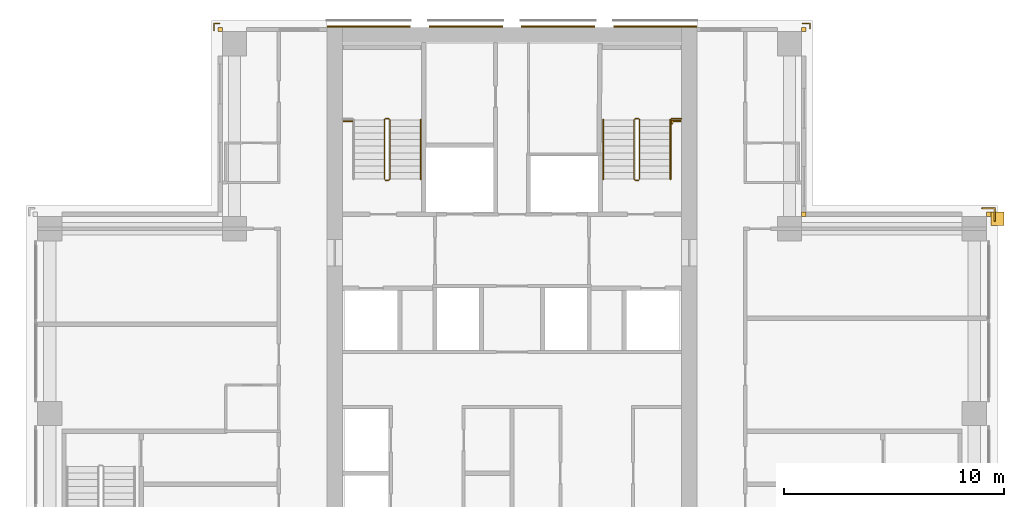
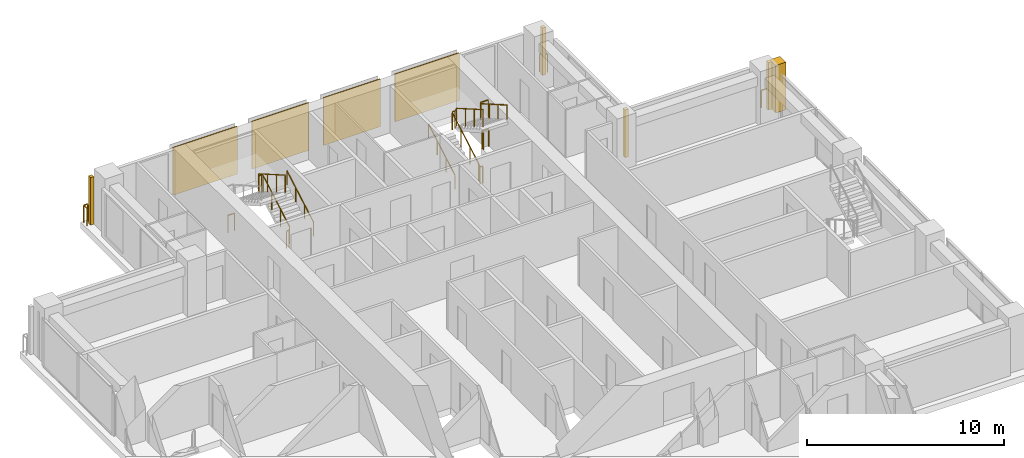
# One storey, part 16 of 16: 11 railings, 9 coverings.
"""IFC4 building model written with IfcOpenShell, lengths in metres."""

from ifc_helpers import new_model, si_unit, direction, frame, origin, origin_2d, place, context, subcontext, project, spatial, polyline, rectangle, outline, extrude, material, type_object, element, save


model = new_model("IFC4")

# Units and contexts
model_context = context("Model", 3, precision=1e-05, world=origin(), true_north=direction((0.0, 1.0)))
body_context = subcontext(model_context, "Body", "Model", "MODEL_VIEW")
ifc_project = project(units=[si_unit("LENGTHUNIT", "METRE"), si_unit("AREAUNIT", "SQUARE_METRE"), si_unit("VOLUMEUNIT", "CUBIC_METRE"), si_unit("PLANEANGLEUNIT", "RADIAN"), si_unit("MASSUNIT", "GRAM", prefix="KILO")], contexts=[model_context])

# Site, building, storey
site_placement = place(None, origin())
site = spatial("IfcSite", under=ifc_project, at=site_placement, CompositionType="ELEMENT")
building_placement = place(site_placement, origin())
building = spatial("IfcBuilding", under=site, at=building_placement, Name="Vermilion Ogive Tower", CompositionType="ELEMENT")
storey_placement = place(building_placement, frame((0.0, 0.0, 167.60009765625)))
storey = spatial("IfcBuildingStorey", under=building, at=storey_placement, Name="L43", CompositionType="ELEMENT", Elevation=167.60009765625)

# Railings
ifc_material_1 = material(Name="Stainless steel", Category="steel")
railing_type_1 = type_object("IfcRailingType", Name="Slab edge guard SG1", PredefinedType="GUARDRAIL", material=ifc_material_1)
railing_1_placement = place(storey_placement, frame((-13.530029296875, 21.60009765625, 0.0)))
element("IfcRailing", 1, at=railing_1_placement, inside=storey, type_object=railing_type_1, Name="L43 slab corner guard", PredefinedType="GUARDRAIL", context=body_context, shape_type="SweptSolid", body=[
    extrude(rectangle(XDim=0.050048828125, YDim=0.050048828125, at=origin_2d()), frame((0.0, 0.0, 1.0751953125), z_axis=(0.0, 1.0, 0.0), x_axis=(-1.0, 0.0, 0.0)), (0.0, 0.0, 1.0), 0.329833984375),
    extrude(rectangle(XDim=0.050048828125, YDim=0.050048828125, at=origin_2d()), frame((0.0, 0.329833984375, 1.0751953125), z_axis=(1.0, 0.0, 0.0), x_axis=(0.0, 1.0, 0.0)), (0.0, 0.0, 1.0), 0.22998046875),
    extrude(rectangle(XDim=0.050048828125, YDim=0.050048828125, at=origin_2d()), origin(), (0.0, 0.0, 1.0), 1.050048828125),
    extrude(rectangle(XDim=0.050048828125, YDim=0.050048828125, at=origin_2d()), frame((0.0, 0.329833984375, 0.0)), (0.0, 0.0, 1.0), 1.050048828125),
    extrude(rectangle(XDim=0.050048828125, YDim=0.050048828125, at=origin_2d()), frame((0.22998046875, 0.329833984375, 0.0)), (0.0, 0.0, 1.0), 1.050048828125),
])
railing_2_placement = place(storey_placement, frame((13.199951171875, 21.929931640625, 0.0)))
element("IfcRailing", 2, at=railing_2_placement, inside=storey, type_object=railing_type_1, Name="L43 slab corner guard", PredefinedType="GUARDRAIL", context=body_context, shape_type="SweptSolid", body=[
    extrude(rectangle(XDim=0.050048828125, YDim=0.050048828125, at=origin_2d()), frame((0.0, 0.0, 1.0751953125), z_axis=(1.0, 0.0, 0.0), x_axis=(0.0, 1.0, 0.0)), (0.0, 0.0, 1.0), 0.330078125),
    extrude(rectangle(XDim=0.050048828125, YDim=0.050048828125, at=origin_2d()), frame((0.330078125, 0.0, 1.0751953125), z_axis=(0.0, -1.0, 0.0), x_axis=(1.0, 0.0, 0.0)), (0.0, 0.0, 1.0), 0.22998046875),
    extrude(rectangle(XDim=0.050048828125, YDim=0.050048828125, at=origin_2d()), origin(), (0.0, 0.0, 1.0), 1.050048828125),
    extrude(rectangle(XDim=0.050048828125, YDim=0.050048828125, at=origin_2d()), frame((0.330078125, 0.0, 0.0)), (0.0, 0.0, 1.0), 1.050048828125),
    extrude(rectangle(XDim=0.050048828125, YDim=0.050048828125, at=origin_2d()), frame((0.330078125, -0.22998046875, 0.0)), (0.0, 0.0, 1.0), 1.050048828125),
])
railing_3_placement = place(storey_placement, frame((21.929931640625, 12.949951171875, 0.0)))
element("IfcRailing", 3, at=railing_3_placement, inside=storey, type_object=railing_type_1, Name="L43 slab corner guard", PredefinedType="GUARDRAIL", context=body_context, shape_type="SweptSolid", body=[
    extrude(rectangle(XDim=0.050048828125, YDim=0.050048828125, at=origin_2d()), frame((0.0, 0.0, 1.0751953125), z_axis=(0.0, 1.0, 0.0), x_axis=(-1.0, 0.0, 0.0)), (0.0, 0.0, 1.0), 0.580078125),
    extrude(rectangle(XDim=0.050048828125, YDim=0.050048828125, at=origin_2d()), frame((0.0, 0.580078125, 1.0751953125), z_axis=(-1.0, 0.0, 0.0), x_axis=(0.0, -1.0, 0.0)), (0.0, 0.0, 1.0), 0.579833984375),
    extrude(rectangle(XDim=0.050048828125, YDim=0.050048828125, at=origin_2d()), origin(), (0.0, 0.0, 1.0), 1.050048828125),
    extrude(rectangle(XDim=0.050048828125, YDim=0.050048828125, at=origin_2d()), frame((0.0, 0.580078125, 0.0)), (0.0, 0.0, 1.0), 1.050048828125),
    extrude(rectangle(XDim=0.050048828125, YDim=0.050048828125, at=origin_2d()), frame((-0.579833984375, 0.580078125, 0.0)), (0.0, 0.0, 1.0), 1.050048828125),
])
ifc_material_2 = material(Name="Steel S355 painted", Category="steel")
railing_type_2 = type_object("IfcRailingType", Name="Stair guard 1100", PredefinedType="GUARDRAIL", material=ifc_material_2)
railing_4_placement = place(storey_placement, frame((-5.75, 14.800048828125, 0.0)))
element("IfcRailing", 4, at=railing_4_placement, inside=storey, type_object=railing_type_2, Name="L43 ST1 stair guard 4", PredefinedType="GUARDRAIL", context=body_context, shape_type="SweptSolid", body=[
    extrude(rectangle(XDim=0.048095703125, YDim=0.048095703125, at=origin_2d()), frame((0.0, 0.0, 1.076171875), z_axis=(1.0, 0.0, 0.0), x_axis=(0.0, 1.0, 0.0)), (0.0, 0.0, 1.0), 0.14990234375),
    extrude(rectangle(XDim=0.048095703125, YDim=0.048095703125, at=origin_2d()), frame((0.14990234375, 0.0, 1.076171875), z_axis=(0.268603158521, 0.268603158521, 0.925043072762), x_axis=(-0.707106781187, 0.707106781187, 0.0)), (0.0, 0.0, 1.0), 0.186279296875),
    extrude(rectangle(XDim=0.048095703125, YDim=0.048095703125, at=origin_2d()), frame((0.199951171875, 0.050048828125, 1.24853515625), z_axis=(0.0, 0.866903762492, 0.498475542607), x_axis=(-1.0, 0.0, 0.0)), (0.0, 0.0, 1.0), 3.114501953125),
    extrude(rectangle(XDim=0.048095703125, YDim=0.048095703125, at=origin_2d()), frame((0.199951171875, 2.75, 2.80078125), z_axis=(-0.707106781187, 0.707106781187, 0.0), x_axis=(-0.707106781187, -0.707106781187, 0.0)), (0.0, 0.0, 1.0), 0.07080078125),
    extrude(rectangle(XDim=0.048095703125, YDim=0.048095703125, at=origin_2d()), frame((0.14990234375, 2.800048828125, 2.80078125), z_axis=(-1.0, 0.0, 0.0), x_axis=(0.0, -1.0, 0.0)), (0.0, 0.0, 1.0), 0.14990234375),
    extrude(rectangle(XDim=0.048095703125, YDim=0.048095703125, at=origin_2d()), frame((0.0, 2.800048828125, 2.80078125), z_axis=(-0.268277960024, -0.268277960024, 0.925231793839), x_axis=(0.707106781187, -0.707106781187, 0.0)), (0.0, 0.0, 1.0), 0.1865234375),
    extrude(rectangle(XDim=0.048095703125, YDim=0.048095703125, at=origin_2d()), frame((-0.050048828125, 2.75, 2.9736328125), z_axis=(0.0, -0.866903762492, 0.498475542607), x_axis=(1.0, 0.0, 0.0)), (0.0, 0.0, 1.0), 3.114501953125),
    extrude(rectangle(XDim=0.0419921875, YDim=0.0419921875, at=origin_2d()), origin(), (0.0, 0.0, 1.0), 1.052001953125),
    extrude(rectangle(XDim=0.0419921875, YDim=0.0419921875, at=origin_2d()), frame((0.14990234375, 0.0, 0.0)), (0.0, 0.0, 1.0), 1.052001953125),
    extrude(rectangle(XDim=0.0419921875, YDim=0.0419921875, at=origin_2d()), frame((0.199951171875, 0.050048828125, 0.17236328125)), (0.0, 0.0, 1.0), 1.052001953125),
    extrude(rectangle(XDim=0.0419921875, YDim=0.0419921875, at=origin_2d()), frame((0.199951171875, 0.949951171875, 0.68994140625)), (0.0, 0.0, 1.0), 1.052001953125),
    extrude(rectangle(XDim=0.0419921875, YDim=0.0419921875, at=origin_2d()), frame((0.199951171875, 1.85009765625, 1.207275390625)), (0.0, 0.0, 1.0), 1.052001953125),
    extrude(rectangle(XDim=0.0419921875, YDim=0.0419921875, at=origin_2d()), frame((0.199951171875, 2.75, 1.724853515625)), (0.0, 0.0, 1.0), 1.052001953125),
    extrude(rectangle(XDim=0.0419921875, YDim=0.0419921875, at=origin_2d()), frame((0.14990234375, 2.800048828125, 1.724853515625)), (0.0, 0.0, 1.0), 1.052001953125),
    extrude(rectangle(XDim=0.0419921875, YDim=0.0419921875, at=origin_2d()), frame((0.0, 2.800048828125, 1.724853515625)), (0.0, 0.0, 1.0), 1.052001953125),
    extrude(rectangle(XDim=0.0419921875, YDim=0.0419921875, at=origin_2d()), frame((-0.050048828125, 2.75, 1.8974609375)), (0.0, 0.0, 1.0), 1.052001953125),
    extrude(rectangle(XDim=0.0419921875, YDim=0.0419921875, at=origin_2d()), frame((-0.050048828125, 1.85009765625, 2.4150390625)), (0.0, 0.0, 1.0), 1.052001953125),
    extrude(rectangle(XDim=0.0419921875, YDim=0.0419921875, at=origin_2d()), frame((-0.050048828125, 0.949951171875, 2.932373046875)), (0.0, 0.0, 1.0), 1.052001953125),
    extrude(rectangle(XDim=0.0419921875, YDim=0.0419921875, at=origin_2d()), frame((-0.050048828125, 0.050048828125, 3.449951171875)), (0.0, 0.0, 1.0), 1.052001953125),
])
railing_5_placement = place(storey_placement, frame((5.75, 14.800048828125, 0.0)))
element("IfcRailing", 5, at=railing_5_placement, inside=storey, type_object=railing_type_2, Name="L43 ST2 stair guard 4", PredefinedType="GUARDRAIL", context=body_context, shape_type="SweptSolid", body=[
    extrude(rectangle(XDim=0.048095703125, YDim=0.048095703125, at=origin_2d()), frame((0.0, 0.0, 1.076171875), z_axis=(-1.0, 0.0, 0.0), x_axis=(0.0, -1.0, 0.0)), (0.0, 0.0, 1.0), 0.14990234375),
    extrude(rectangle(XDim=0.048095703125, YDim=0.048095703125, at=origin_2d()), frame((-0.14990234375, 0.0, 1.076171875), z_axis=(-0.268603158521, 0.268603158521, 0.925043072762), x_axis=(-0.707106781187, -0.707106781187, 0.0)), (0.0, 0.0, 1.0), 0.186279296875),
    extrude(rectangle(XDim=0.048095703125, YDim=0.048095703125, at=origin_2d()), frame((-0.199951171875, 0.050048828125, 1.24853515625), z_axis=(0.0, 0.866903762492, 0.498475542607), x_axis=(-1.0, 0.0, 0.0)), (0.0, 0.0, 1.0), 3.114501953125),
    extrude(rectangle(XDim=0.048095703125, YDim=0.048095703125, at=origin_2d()), frame((-0.199951171875, 2.75, 2.80078125), z_axis=(0.707106781187, 0.707106781187, 0.0), x_axis=(-0.707106781187, 0.707106781187, 0.0)), (0.0, 0.0, 1.0), 0.07080078125),
    extrude(rectangle(XDim=0.048095703125, YDim=0.048095703125, at=origin_2d()), frame((-0.14990234375, 2.800048828125, 2.80078125), z_axis=(1.0, 0.0, 0.0), x_axis=(0.0, 1.0, 0.0)), (0.0, 0.0, 1.0), 0.14990234375),
    extrude(rectangle(XDim=0.048095703125, YDim=0.048095703125, at=origin_2d()), frame((0.0, 2.800048828125, 2.80078125), z_axis=(0.268277960024, -0.268277960024, 0.925231793839), x_axis=(0.707106781187, 0.707106781187, 0.0)), (0.0, 0.0, 1.0), 0.1865234375),
    extrude(rectangle(XDim=0.048095703125, YDim=0.048095703125, at=origin_2d()), frame((0.050048828125, 2.75, 2.9736328125), z_axis=(0.0, -0.866903762492, 0.498475542607), x_axis=(1.0, 0.0, 0.0)), (0.0, 0.0, 1.0), 3.114501953125),
    extrude(rectangle(XDim=0.0419921875, YDim=0.0419921875, at=origin_2d()), origin(), (0.0, 0.0, 1.0), 1.052001953125),
    extrude(rectangle(XDim=0.0419921875, YDim=0.0419921875, at=origin_2d()), frame((-0.14990234375, 0.0, 0.0)), (0.0, 0.0, 1.0), 1.052001953125),
    extrude(rectangle(XDim=0.0419921875, YDim=0.0419921875, at=origin_2d()), frame((-0.199951171875, 0.050048828125, 0.17236328125)), (0.0, 0.0, 1.0), 1.052001953125),
    extrude(rectangle(XDim=0.0419921875, YDim=0.0419921875, at=origin_2d()), frame((-0.199951171875, 0.949951171875, 0.68994140625)), (0.0, 0.0, 1.0), 1.052001953125),
    extrude(rectangle(XDim=0.0419921875, YDim=0.0419921875, at=origin_2d()), frame((-0.199951171875, 1.85009765625, 1.207275390625)), (0.0, 0.0, 1.0), 1.052001953125),
    extrude(rectangle(XDim=0.0419921875, YDim=0.0419921875, at=origin_2d()), frame((-0.199951171875, 2.75, 1.724853515625)), (0.0, 0.0, 1.0), 1.052001953125),
    extrude(rectangle(XDim=0.0419921875, YDim=0.0419921875, at=origin_2d()), frame((-0.14990234375, 2.800048828125, 1.724853515625)), (0.0, 0.0, 1.0), 1.052001953125),
    extrude(rectangle(XDim=0.0419921875, YDim=0.0419921875, at=origin_2d()), frame((0.0, 2.800048828125, 1.724853515625)), (0.0, 0.0, 1.0), 1.052001953125),
    extrude(rectangle(XDim=0.0419921875, YDim=0.0419921875, at=origin_2d()), frame((0.050048828125, 2.75, 1.8974609375)), (0.0, 0.0, 1.0), 1.052001953125),
    extrude(rectangle(XDim=0.0419921875, YDim=0.0419921875, at=origin_2d()), frame((0.050048828125, 1.85009765625, 2.4150390625)), (0.0, 0.0, 1.0), 1.052001953125),
    extrude(rectangle(XDim=0.0419921875, YDim=0.0419921875, at=origin_2d()), frame((0.050048828125, 0.949951171875, 2.932373046875)), (0.0, 0.0, 1.0), 1.052001953125),
    extrude(rectangle(XDim=0.0419921875, YDim=0.0419921875, at=origin_2d()), frame((0.050048828125, 0.050048828125, 3.449951171875)), (0.0, 0.0, 1.0), 1.052001953125),
])
railing_6_placement = place(storey_placement, frame((7.25, 17.60009765625, 1.724853515625)))
element("IfcRailing", 6, at=railing_6_placement, inside=storey, type_object=railing_type_2, Name="L43 landing guard", PredefinedType="GUARDRAIL", context=body_context, shape_type="SweptSolid", body=[
    extrude(rectangle(XDim=0.048095703125, YDim=0.048095703125, at=origin_2d()), frame((0.0, 0.0, 1.076171875), z_axis=(1.0, 0.0, 0.0), x_axis=(0.0, 1.0, 0.0)), (0.0, 0.0, 1.0), 0.449951171875),
    extrude(rectangle(XDim=0.0419921875, YDim=0.0419921875, at=origin_2d()), origin(), (0.0, 0.0, 1.0), 1.052001953125),
    extrude(rectangle(XDim=0.0419921875, YDim=0.0419921875, at=origin_2d()), frame((0.449951171875, 0.0, 0.0)), (0.0, 0.0, 1.0), 1.052001953125),
])
railing_7_placement = place(storey_placement, frame((-7.639892578125, 17.489990234375, 0.0)))
element("IfcRailing", 7, at=railing_7_placement, inside=storey, type_object=railing_type_2, Name="L43 stair opening guard", PredefinedType="GUARDRAIL", context=body_context, shape_type="SweptSolid", body=[
    extrude(rectangle(XDim=0.048095703125, YDim=0.048095703125, at=origin_2d()), frame((0.0, 0.0, 1.076171875), z_axis=(1.0, 0.0, 0.0), x_axis=(0.0, 1.0, 0.0)), (0.0, 0.0, 1.0), 0.389892578125),
    extrude(rectangle(XDim=0.0419921875, YDim=0.0419921875, at=origin_2d()), origin(), (0.0, 0.0, 1.0), 1.052001953125),
    extrude(rectangle(XDim=0.0419921875, YDim=0.0419921875, at=origin_2d()), frame((0.389892578125, 0.0, 0.0)), (0.0, 0.0, 1.0), 1.052001953125),
])
railing_8_placement = place(storey_placement, frame((7.267578125, 17.372802734375, 0.0)))
element("IfcRailing", 8, at=railing_8_placement, inside=storey, type_object=railing_type_2, Name="L43 stair opening guard", PredefinedType="GUARDRAIL", context=body_context, shape_type="SweptSolid", body=[
    extrude(rectangle(XDim=0.048095703125, YDim=0.048095703125, at=origin_2d()), frame((0.0, 0.0, 1.076171875), z_axis=(0.0, 1.0, 0.0), x_axis=(-1.0, 0.0, 0.0)), (0.0, 0.0, 1.0), 0.119873046875),
    extrude(rectangle(XDim=0.048095703125, YDim=0.048095703125, at=origin_2d()), frame((0.0, 0.119873046875, 1.076171875), z_axis=(1.0, 0.0, 0.0), x_axis=(0.0, 1.0, 0.0)), (0.0, 0.0, 1.0), 0.39013671875),
    extrude(rectangle(XDim=0.0419921875, YDim=0.0419921875, at=origin_2d()), origin(), (0.0, 0.0, 1.0), 1.052001953125),
    extrude(rectangle(XDim=0.0419921875, YDim=0.0419921875, at=origin_2d()), frame((0.0, 0.119873046875, 0.0)), (0.0, 0.0, 1.0), 1.052001953125),
    extrude(rectangle(XDim=0.0419921875, YDim=0.0419921875, at=origin_2d()), frame((0.39013671875, 0.119873046875, 0.0)), (0.0, 0.0, 1.0), 1.052001953125),
])
ifc_material_3 = material(Name="Stainless steel", Category="steel")
railing_type_3 = type_object("IfcRailingType", Name="Stair handrail 900", PredefinedType="HANDRAIL", material=ifc_material_3)
for number, where, name in (
    (9, (-4.14990234375, 14.85009765625, 0.17236328125), "L43 ST1 stair handrail 1"),
    (10, (4.14990234375, 14.85009765625, 0.17236328125), "L43 ST2 stair handrail 1"),
):
    element("IfcRailing", number, at=place(storey_placement, frame(where)), inside=storey, type_object=railing_type_3, Name=name, PredefinedType="HANDRAIL", context=body_context, shape_type="SweptSolid", body=[
        extrude(rectangle(XDim=0.048095703125, YDim=0.048095703125, at=origin_2d()), frame((0.0, 0.0, 0.8759765625), z_axis=(0.0, 0.866903762492, 0.498475542607), x_axis=(-1.0, 0.0, 0.0)), (0.0, 0.0, 1.0), 3.114501953125),
        extrude(rectangle(XDim=0.0419921875, YDim=0.0419921875, at=origin_2d()), origin(), (0.0, 0.0, 1.0), 0.851806640625),
        extrude(rectangle(XDim=0.0419921875, YDim=0.0419921875, at=origin_2d()), frame((0.0, 0.89990234375, 0.517578125)), (0.0, 0.0, 1.0), 0.851806640625),
        extrude(rectangle(XDim=0.0419921875, YDim=0.0419921875, at=origin_2d()), frame((0.0, 1.800048828125, 1.034912109375)), (0.0, 0.0, 1.0), 0.851806640625),
        extrude(rectangle(XDim=0.0419921875, YDim=0.0419921875, at=origin_2d()), frame((0.0, 2.699951171875, 1.552490234375)), (0.0, 0.0, 1.0), 0.851806640625),
    ])
railing_9_placement = place(storey_placement, frame((7.199951171875, 17.550048828125, 1.8974609375)))
element("IfcRailing", 11, at=railing_9_placement, inside=storey, type_object=railing_type_3, Name="L43 ST2 stair handrail 2", PredefinedType="HANDRAIL", context=body_context, shape_type="SweptSolid", body=[
    extrude(rectangle(XDim=0.048095703125, YDim=0.048095703125, at=origin_2d()), frame((0.0, 0.0, 0.8759765625), z_axis=(0.0, -0.866903762492, 0.498475542607), x_axis=(1.0, 0.0, 0.0)), (0.0, 0.0, 1.0), 3.114501953125),
    extrude(rectangle(XDim=0.0419921875, YDim=0.0419921875, at=origin_2d()), origin(), (0.0, 0.0, 1.0), 0.851806640625),
    extrude(rectangle(XDim=0.0419921875, YDim=0.0419921875, at=origin_2d()), frame((0.0, -0.89990234375, 0.517578125)), (0.0, 0.0, 1.0), 0.851806640625),
    extrude(rectangle(XDim=0.0419921875, YDim=0.0419921875, at=origin_2d()), frame((0.0, -1.800048828125, 1.034912109375)), (0.0, 0.0, 1.0), 0.851806640625),
    extrude(rectangle(XDim=0.0419921875, YDim=0.0419921875, at=origin_2d()), frame((0.0, -2.699951171875, 1.552490234375)), (0.0, 0.0, 1.0), 0.851806640625),
])

# Coverings
ifc_material_4 = material(Name="Stone cladding", Category="masonry")
covering_type_1 = type_object("IfcCoveringType", Name="Stone cladding panel", PredefinedType="CLADDING", material=ifc_material_4)
covering_1_placement = place(storey_placement, origin())
element("IfcCovering", 12, at=covering_1_placement, inside=storey, type_object=covering_type_1, Name="Stone cladding panel N1", PredefinedType="CLADDING", context=body_context, shape_type="SweptSolid", body=[
    extrude(outline(polyline([(-8.389892578125, 21.75), (-4.6298828125, 21.75), (-4.6298828125, 21.81005859375), (-8.389892578125, 21.81005859375), (-8.389892578125, 21.75)])), origin(), (0.0, 0.0, 1.0), 2.949951171875),
])
covering_2_placement = place(storey_placement, origin())
element("IfcCovering", 13, at=covering_2_placement, inside=storey, type_object=covering_type_1, Name="Stone cladding panel N2", PredefinedType="CLADDING", context=body_context, shape_type="SweptSolid", body=[
    extrude(outline(polyline([(-3.77001953125, 21.75), (-0.429931640625, 21.75), (-0.429931640625, 21.81005859375), (-3.77001953125, 21.81005859375), (-3.77001953125, 21.75)])), origin(), (0.0, 0.0, 1.0), 2.949951171875),
])
covering_3_placement = place(storey_placement, origin())
element("IfcCovering", 14, at=covering_3_placement, inside=storey, type_object=covering_type_1, Name="Stone cladding panel N3", PredefinedType="CLADDING", context=body_context, shape_type="SweptSolid", body=[
    extrude(outline(polyline([(0.429931640625, 21.75), (3.77001953125, 21.75), (3.77001953125, 21.81005859375), (0.429931640625, 21.81005859375), (0.429931640625, 21.75)])), origin(), (0.0, 0.0, 1.0), 2.949951171875),
])
covering_4_placement = place(storey_placement, origin())
element("IfcCovering", 15, at=covering_4_placement, inside=storey, type_object=covering_type_1, Name="Stone cladding panel N4", PredefinedType="CLADDING", context=body_context, shape_type="SweptSolid", body=[
    extrude(outline(polyline([(4.6298828125, 21.75), (8.389892578125, 21.75), (8.389892578125, 21.81005859375), (4.6298828125, 21.81005859375), (4.6298828125, 21.75)])), origin(), (0.0, 0.0, 1.0), 2.949951171875),
])
ifc_material_5 = material(Name="Stone cladding", Category="masonry")
covering_type_2 = type_object("IfcCoveringType", Name="Stone corner buttress", PredefinedType="CLADDING", material=ifc_material_5)
covering_5_placement = place(storey_placement, origin())
element("IfcCovering", 16, at=covering_5_placement, inside=storey, type_object=covering_type_2, Name="Stone crease pier EK", PredefinedType="CLADDING", context=body_context, shape_type="SweptSolid", body=[
    extrude(outline(polyline([(22.35009765625, 12.75), (22.35009765625, 13.35009765625), (21.75, 13.35009765625), (21.75, 12.75), (22.35009765625, 12.75)])), origin(), (0.0, 0.0, 1.0), 2.949951171875),
])
ifc_material_6 = material(Name="Stone cladding", Category="masonry")
covering_type_3 = type_object("IfcCoveringType", Name="Stone pier", PredefinedType="CLADDING", material=ifc_material_6)
covering_6_placement = place(storey_placement, origin())
element("IfcCovering", 17, at=covering_6_placement, inside=storey, type_object=covering_type_3, Name="Stone corner pier EE1", PredefinedType="CLADDING", context=body_context, shape_type="SweptSolid", body=[
    extrude(outline(polyline([(21.75, 13.14990234375), (21.550048828125, 13.14990234375), (21.550048828125, 13.35009765625), (21.75, 13.35009765625), (21.75, 13.14990234375)])), origin(), (0.0, 0.0, 1.0), 2.949951171875),
])
covering_7_placement = place(storey_placement, origin())
element("IfcCovering", 18, at=covering_7_placement, inside=storey, type_object=covering_type_3, Name="Stone corner pier X3E1", PredefinedType="CLADDING", context=body_context, shape_type="SweptSolid", body=[
    extrude(outline(polyline([(13.14990234375, 13.14990234375), (13.14990234375, 13.35009765625), (13.35009765625, 13.35009765625), (13.35009765625, 13.14990234375), (13.14990234375, 13.14990234375)])), origin(), (0.0, 0.0, 1.0), 2.949951171875),
])
covering_8_placement = place(storey_placement, origin())
element("IfcCovering", 19, at=covering_8_placement, inside=storey, type_object=covering_type_3, Name="Stone corner pier X4E1", PredefinedType="CLADDING", context=body_context, shape_type="SweptSolid", body=[
    extrude(outline(polyline([(13.35009765625, 21.550048828125), (13.14990234375, 21.550048828125), (13.14990234375, 21.75), (13.35009765625, 21.75), (13.35009765625, 21.550048828125)])), origin(), (0.0, 0.0, 1.0), 2.949951171875),
])
covering_9_placement = place(storey_placement, origin())
element("IfcCovering", 20, at=covering_9_placement, inside=storey, type_object=covering_type_3, Name="Stone corner pier N2E1", PredefinedType="CLADDING", context=body_context, shape_type="SweptSolid", body=[
    extrude(outline(polyline([(-13.14990234375, 21.75), (-13.14990234375, 21.550048828125), (-13.35009765625, 21.550048828125), (-13.35009765625, 21.75), (-13.14990234375, 21.75)])), origin(), (0.0, 0.0, 1.0), 2.949951171875),
])

save(model, "model.ifc")
